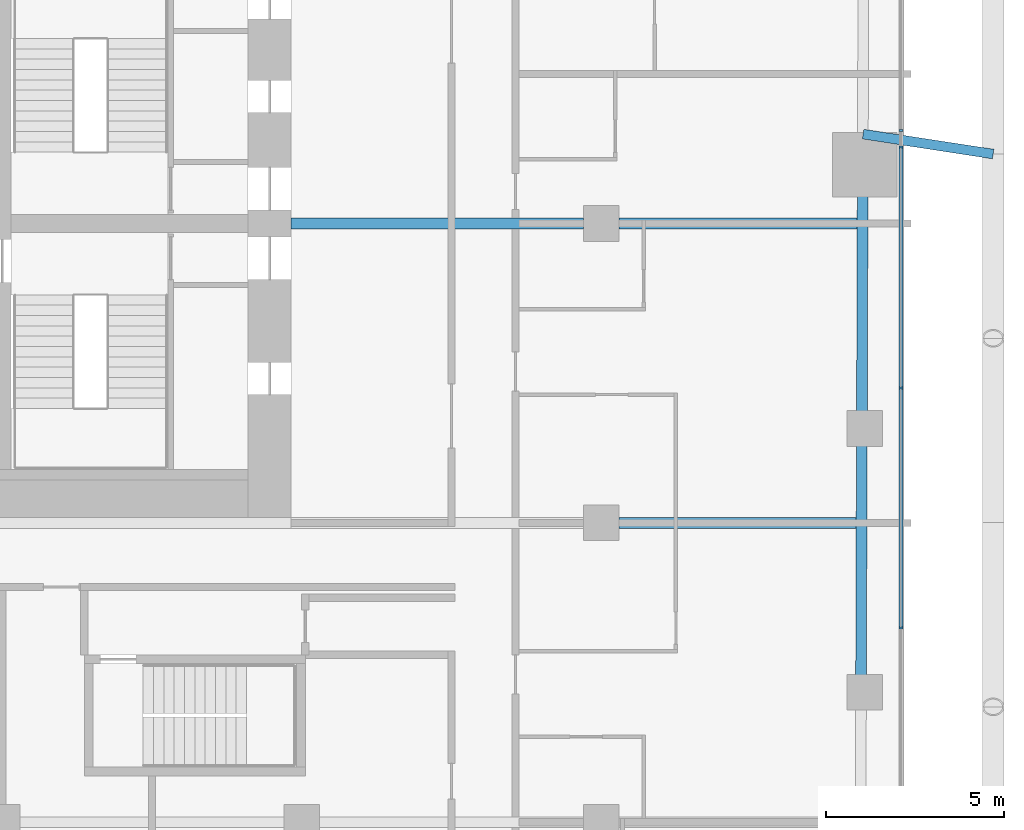
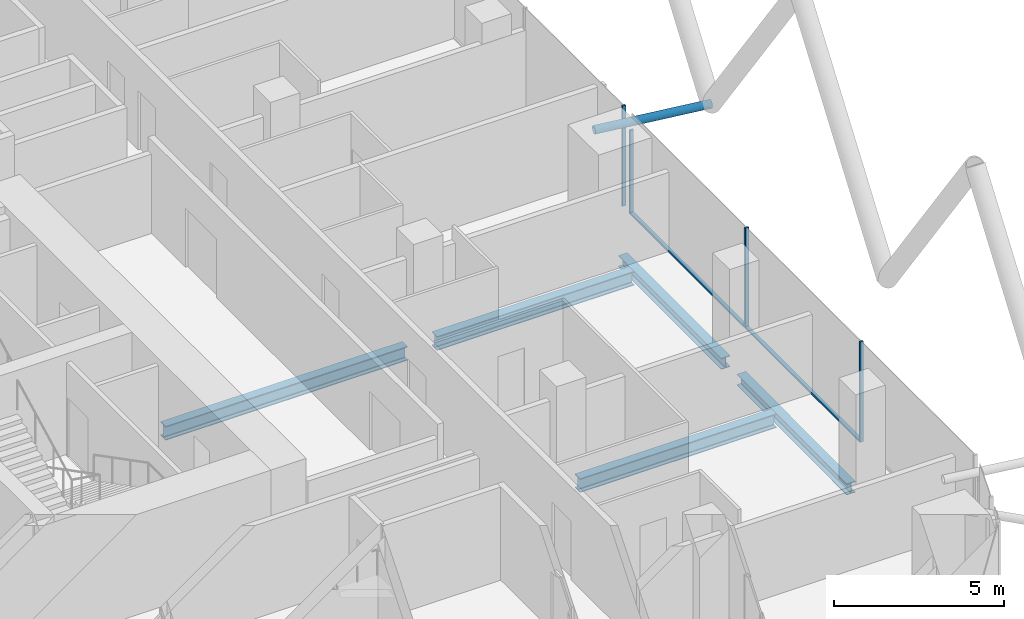
# One storey, part 8 of 38: 7 members, 5 beams, 3 elements without a shape of their own.
"""IFC4 building model written with IfcOpenShell, lengths in metres."""

from ifc_helpers import new_model, si_unit, direction, frame, origin, origin_2d, place, context, subcontext, project, spatial, rectangle, hollow_circle, i_section, extrude, material, layer, layer_set, material_profile, profile_set, type_object, element, aggregate, save


model = new_model("IFC4")

# Units and contexts
model_context = context("Model", 3, precision=1e-05, world=origin(), true_north=direction((0.0, 1.0)))
body_context = subcontext(model_context, "Body", "Model", "MODEL_VIEW")
ifc_project = project(units=[si_unit("LENGTHUNIT", "METRE"), si_unit("AREAUNIT", "SQUARE_METRE"), si_unit("VOLUMEUNIT", "CUBIC_METRE"), si_unit("PLANEANGLEUNIT", "RADIAN"), si_unit("MASSUNIT", "GRAM", prefix="KILO")], contexts=[model_context])

# Site, building, storey
site_placement = place(None, origin())
site = spatial("IfcSite", under=ifc_project, at=site_placement, CompositionType="ELEMENT")
building_placement = place(site_placement, origin())
building = spatial("IfcBuilding", under=site, at=building_placement, Name="Marenta Gate Hotel Tower", CompositionType="ELEMENT")
storey_placement = place(building_placement, frame((0.0, 0.0, 68.89990234375)))
storey = spatial("IfcBuildingStorey", under=building, at=storey_placement, Name="L15", CompositionType="ELEMENT", Elevation=68.89990234375)

# Beams
ifc_material_1 = material(Name="Steel S355", Category="steel")
ifc_material_profile_1 = material_profile(ifc_material_1, i_section(OverallWidth=0.300048828125, OverallDepth=0.39990234375, WebThickness=0.013427734375, FlangeThickness=0.02392578125, FilletRadius=0.027099609375, at=origin_2d()), Name="HEB 400")
ifc_profile_set_1 = profile_set([ifc_material_profile_1], Name="Steel S355")
beam_type_1 = type_object("IfcBeamType", Name="Edge beam HEB 400", PredefinedType="SPANDREL", material=ifc_profile_set_1)
beam_1_placement = place(storey_placement, frame((28.3388671875, 9.18994140625, -0.4599609375), z_axis=(-0.003332378012, -0.999994447613, 0.0), x_axis=(0.999994447613, -0.003332378012, 0.0)))
element("IfcBeam", 1, at=beam_1_placement, inside=storey, type_object=beam_type_1, Name="L15-EB-25", PredefinedType="SPANDREL", context=body_context, shape_type="SweptSolid", body=[
    extrude(i_section(OverallWidth=0.300048828125, OverallDepth=0.39990234375, WebThickness=0.013427734375, FlangeThickness=0.02392578125, FilletRadius=0.027099609375, at=origin_2d()), origin(), (0.0, 0.0, 1.0), 6.080810546875),
])
beam_2_placement = place(storey_placement, frame((28.315673828125, 2.189208984375, -0.4599609375), z_axis=(-0.003352525703, -0.99999438027, 0.0), x_axis=(0.99999438027, -0.003352525703, 0.0)))
element("IfcBeam", 2, at=beam_2_placement, inside=storey, type_object=beam_type_1, Name="L15-EB-26", PredefinedType="SPANDREL", context=body_context, shape_type="SweptSolid", body=[
    extrude(i_section(OverallWidth=0.300048828125, OverallDepth=0.39990234375, WebThickness=0.013427734375, FlangeThickness=0.02392578125, FilletRadius=0.027099609375, at=origin_2d()), origin(), (0.0, 0.0, 1.0), 6.481201171875),
])

# Member
ifc_material_2 = material(Name="Steel S355J2W", Category="steel")
ifc_material_profile_2 = material_profile(ifc_material_2, hollow_circle(Radius=0.136474609375, WallThickness=0.012451171875, at=origin_2d()), Name="CHS 273x12.5")
ifc_profile_set_2 = profile_set([ifc_material_profile_2], Name="Steel S355J2W")
member_type_1 = type_object("IfcMemberType", Name="Floor tie CHS 273x12.5", PredefinedType="STRUT", material=ifc_profile_set_2)
member_1_placement = place(storey_placement, frame((32.0, 10.349853515625, 3.14013671875), z_axis=(-0.988463272711, 0.151460749047, 0.0), x_axis=(-0.151460749047, -0.988463272711, 0.0)))
element("IfcMember", 3, at=member_1_placement, inside=storey, type_object=member_type_1, Name="L15-DR-9", PredefinedType="STRUT", context=body_context, shape_type="SweptSolid", body=[
    extrude(hollow_circle(Radius=0.136474609375, WallThickness=0.012451171875, at=origin_2d()), origin(), (0.0, 0.0, 1.0), 3.691162109375),
])

# Beams
ifc_material_3 = material(Name="Steel S355", Category="steel")
ifc_material_profile_3 = material_profile(ifc_material_3, i_section(OverallWidth=0.300048828125, OverallDepth=0.5, WebThickness=0.014404296875, FlangeThickness=0.028076171875, FilletRadius=0.027099609375, at=origin_2d()), Name="HEB 500")
ifc_profile_set_3 = profile_set([ifc_material_profile_3], Name="Steel S355")
beam_type_2 = type_object("IfcBeamType", Name="Girder HEB 500", PredefinedType="BEAM", material=ifc_profile_set_3)
beam_3_placement = place(storey_placement, frame((21.5, 0.0, -0.510009765625), z_axis=(1.0, 0.0, 0.0), x_axis=(0.0, 1.0, 0.0)))
element("IfcBeam", 4, at=beam_3_placement, inside=storey, type_object=beam_type_2, Name="L15-GD-12", PredefinedType="BEAM", context=body_context, shape_type="SweptSolid", body=[
    extrude(i_section(OverallWidth=0.300048828125, OverallDepth=0.5, WebThickness=0.014404296875, FlangeThickness=0.028076171875, FilletRadius=0.027099609375, at=origin_2d()), origin(), (0.0, 0.0, 1.0), 6.658203125),
])
beam_4_placement = place(storey_placement, frame((12.300048828125, 8.39990234375, -0.510009765625), z_axis=(1.0, 0.0, 0.0), x_axis=(0.0, 1.0, 0.0)))
element("IfcBeam", 5, at=beam_4_placement, inside=storey, type_object=beam_type_2, Name="L15-GD-15", PredefinedType="BEAM", context=body_context, shape_type="SweptSolid", body=[
    extrude(i_section(OverallWidth=0.300048828125, OverallDepth=0.5, WebThickness=0.014404296875, FlangeThickness=0.028076171875, FilletRadius=0.027099609375, at=origin_2d()), origin(), (0.0, 0.0, 1.0), 8.199951171875),
])
beam_5_placement = place(storey_placement, frame((21.5, 8.39990234375, -0.510009765625), z_axis=(1.0, 0.0, 0.0), x_axis=(0.0, 1.0, 0.0)))
element("IfcBeam", 6, at=beam_5_placement, inside=storey, type_object=beam_type_2, Name="L15-GD-16", PredefinedType="BEAM", context=body_context, shape_type="SweptSolid", body=[
    extrude(i_section(OverallWidth=0.300048828125, OverallDepth=0.5, WebThickness=0.014404296875, FlangeThickness=0.028076171875, FilletRadius=0.027099609375, at=origin_2d()), origin(), (0.0, 0.0, 1.0), 6.686279296875),
])

# Curtain wall, members
ifc_material_4 = material(Name="Tinted insulated glass in bronze anodised frame", Category="glass")
ifc_layer = layer(ifc_material_4, 0.1201171875)
ifc_layer_set = layer_set([ifc_layer], Name="Tinted insulated glass in bronze anodised frame")
curtain_wall_type = type_object("IfcCurtainWallType", Name="Tower unitised curtain wall CW1", PredefinedType="NOTDEFINED", material=ifc_layer_set)
curtain_wall_1_placement = place(storey_placement, origin())
curtain_wall_1 = element("IfcCurtainWall", 7, at=curtain_wall_1_placement, inside=storey, type_object=curtain_wall_type, Name="CW1 run G32", PredefinedType="NOTDEFINED")
ifc_material_5 = material(Name="Bronze anodised aluminium", Category="aluminium")
ifc_material_profile_4 = material_profile(ifc_material_5, rectangle(XDim=0.1201171875, YDim=0.06005859375, at=origin_2d()), Name="Mullion CW1 60x120 bronze anodised aluminium")
ifc_profile_set_4 = profile_set([ifc_material_profile_4], Name="Bronze anodised aluminium")
member_type_2 = type_object("IfcMemberType", Name="Mullion CW1 60x120 bronze anodised aluminium", PredefinedType="MULLION", material=ifc_profile_set_4)
member_2_placement = place(storey_placement, frame((29.4140625, -2.9443359375, 0.0), z_axis=(0.0, 0.0, 1.0), x_axis=(-1.0, 0.0, 0.0)))
member_2 = element("IfcMember", 8, at=member_2_placement, type_object=member_type_2, Name="CW1 mullion 2", PredefinedType="MULLION", context=body_context, shape_type="SweptSolid", body=[
    extrude(rectangle(XDim=0.1201171875, YDim=0.06005859375, at=origin_2d()), origin(), (0.0, 0.0, 1.0), 3.60009765625),
])
member_3_placement = place(storey_placement, frame((29.4140625, 3.786376953125, 0.0), z_axis=(0.0, 0.0, 1.0), x_axis=(-1.0, 0.0, 0.0)))
member_3 = element("IfcMember", 9, at=member_3_placement, type_object=member_type_2, Name="CW1 mullion 3", PredefinedType="MULLION", context=body_context, shape_type="SweptSolid", body=[
    extrude(rectangle(XDim=0.1201171875, YDim=0.06005859375, at=origin_2d()), origin(), (0.0, 0.0, 1.0), 3.60009765625),
])

# Curtain wall, member
curtain_wall_2_placement = place(storey_placement, origin())
curtain_wall_2 = element("IfcCurtainWall", 10, at=curtain_wall_2_placement, inside=storey, type_object=curtain_wall_type, Name="CW1 run G33", PredefinedType="NOTDEFINED")
member_4_placement = place(storey_placement, frame((29.4140625, 10.547119140625, 0.0), z_axis=(0.0, 0.0, 1.0), x_axis=(-1.0, 0.0, 0.0)))
member_4 = element("IfcMember", 11, at=member_4_placement, type_object=member_type_2, Name="CW1 mullion 1", PredefinedType="MULLION", context=body_context, shape_type="SweptSolid", body=[
    extrude(rectangle(XDim=0.1201171875, YDim=0.06005859375, at=origin_2d()), origin(), (0.0, 0.0, 1.0), 3.00048828125),
])
aggregate(curtain_wall_2, [member_4])

curtain_wall_3_placement = place(storey_placement, origin())
curtain_wall_3 = element("IfcCurtainWall", 12, at=curtain_wall_3_placement, inside=storey, type_object=curtain_wall_type, Name="CW1 run G34", PredefinedType="NOTDEFINED")
member_5_placement = place(storey_placement, frame((29.4140625, 11.00537109375, 0.0), z_axis=(0.0, 0.0, 1.0), x_axis=(-1.0, 0.0, 0.0)))
member_5 = element("IfcMember", 13, at=member_5_placement, type_object=member_type_2, Name="CW1 mullion 1", PredefinedType="MULLION", context=body_context, shape_type="SweptSolid", body=[
    extrude(rectangle(XDim=0.1201171875, YDim=0.06005859375, at=origin_2d()), origin(), (0.0, 0.0, 1.0), 3.60009765625),
])
aggregate(curtain_wall_3, [member_5])

# Member
ifc_material_6 = material(Name="Bronze anodised aluminium", Category="aluminium")
ifc_material_profile_5 = material_profile(ifc_material_6, rectangle(XDim=0.1201171875, YDim=0.06005859375, at=origin_2d()), Name="Transom CW1 60x120 bronze anodised aluminium")
ifc_profile_set_5 = profile_set([ifc_material_profile_5], Name="Bronze anodised aluminium")
member_type_3 = type_object("IfcMemberType", Name="Transom CW1 60x120 bronze anodised aluminium", PredefinedType="USERDEFINED", material=ifc_profile_set_5)
member_6_placement = place(storey_placement, frame((29.4140625, -2.914306640625, 0.030029296875), z_axis=(0.0, 1.0, 0.0), x_axis=(-1.0, 0.0, 0.0)))
member_6 = element("IfcMember", 14, at=member_6_placement, type_object=member_type_3, Name="CW1 transom 2.1", ObjectType="TRANSOM", PredefinedType="USERDEFINED", context=body_context, shape_type="SweptSolid", body=[
    extrude(rectangle(XDim=0.1201171875, YDim=0.06005859375, at=origin_2d()), origin(), (0.0, 0.0, 1.0), 6.670654296875),
])

member_7_placement = place(storey_placement, frame((29.4140625, 3.81640625, 0.030029296875), z_axis=(0.0, 1.0, 0.0), x_axis=(-1.0, 0.0, 0.0)))
member_7 = element("IfcMember", 15, at=member_7_placement, type_object=member_type_3, Name="CW1 transom 3.1", ObjectType="TRANSOM", PredefinedType="USERDEFINED", context=body_context, shape_type="SweptSolid", body=[
    extrude(rectangle(XDim=0.1201171875, YDim=0.06005859375, at=origin_2d()), origin(), (0.0, 0.0, 1.0), 6.70068359375),
])

aggregate(curtain_wall_1, [member_2, member_3, member_6, member_7])

save(model, "model.ifc")
